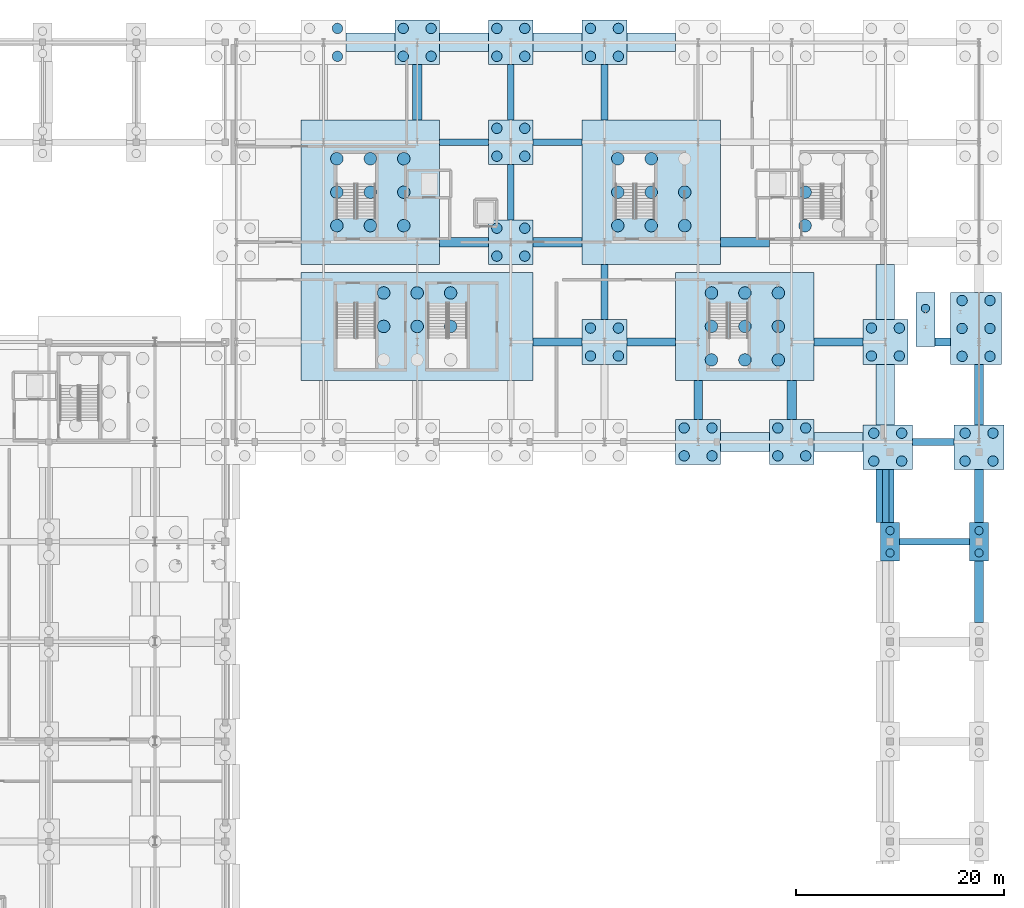
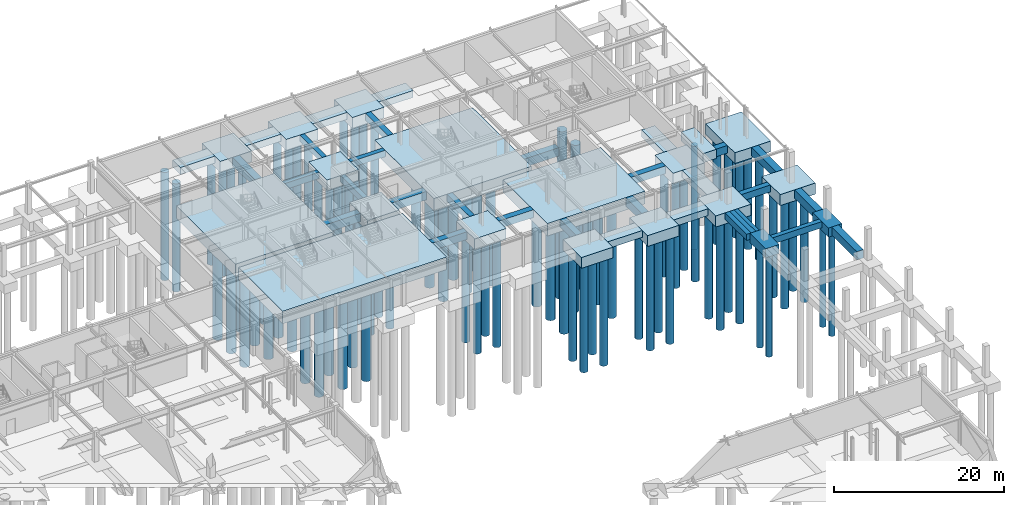
# One storey, part 9 of 59: 91 piles, 51 footings.
"""IFC4 building model written with IfcOpenShell, lengths in metres."""

import ifcopenshell
import ifcopenshell.guid

model = None  # the IFC model being written
_history = None  # IfcOwnerHistory: only IFC2X3 demands one
_inside = {}  # id of a spatial element -> (the spatial element, [elements in it])
_under = {}  # id of a project, library or spatial element -> (it, [spatial elements below it])
_declared = {}  # id of a project -> (the project, [libraries it declares])
_typed = {}  # id of a type object -> (the type object, [elements of that type])
_made_of = {}  # id of a material, layer set ... -> (it, [elements and type objects made of it])


def new_model(schema):
    """Start an empty IFC model of exactly this schema.

    Asked for "IFC4X3", IfcOpenShell would pick the latest addendum, in which some entities
    have other attributes; the version numbers below select the first issue.
    IFC2X3 requires an IfcOwnerHistory on every rooted entity: one is made here for all.
    """
    global model, _history
    if schema == "IFC4X3":
        model = ifcopenshell.file(schema_version=(4, 3, 0, 0))
    else:
        model = ifcopenshell.file(schema=schema)
    _inside.clear()
    _under.clear()
    _declared.clear()
    _typed.clear()
    _made_of.clear()
    _history = None
    if model.schema == "IFC2X3":
        org = make("IfcOrganization", Name="unknown")
        user = make(
            "IfcPersonAndOrganization",
            ThePerson=make("IfcPerson", FamilyName="unknown"),
            TheOrganization=org,
        )
        app = make(
            "IfcApplication",
            ApplicationDeveloper=org,
            Version="unknown",
            ApplicationFullName="unknown",
            ApplicationIdentifier="unknown",
        )
        _history = make(
            "IfcOwnerHistory",
            OwningUser=user,
            OwningApplication=app,
            ChangeAction="ADDED",
            CreationDate=0,
        )
    return model


def make(cls, **values):
    """One entity of the class cls with the attributes given. An attribute that is None is left unset."""
    return model.create_entity(
        cls, **{name: value for name, value in values.items() if value is not None}
    )


def rooted(cls, **values):
    """An entity with a GlobalId (a new one), such as an element, a storey or a relation."""
    return make(cls, GlobalId=ifcopenshell.guid.new(), OwnerHistory=_history, **values)


def si_unit(unit_type, name, prefix=None):
    """IfcSIUnit, for example si_unit("LENGTHUNIT", "METRE", prefix="MILLI")."""
    return make("IfcSIUnit", UnitType=unit_type, Prefix=prefix, Name=name)


def assignment(units):
    """IfcUnitAssignment: the units of a project."""
    return None if units is None else make("IfcUnitAssignment", Units=units)


def point(xyz):
    """IfcCartesianPoint."""
    return None if xyz is None else make("IfcCartesianPoint", Coordinates=xyz)


def direction(xyz):
    """IfcDirection."""
    return None if xyz is None else make("IfcDirection", DirectionRatios=xyz)


def frame(location, z_axis=None, x_axis=None):
    """IfcAxis2Placement3D, a coordinate frame: its origin and axes. An axis left out is left unset."""
    return make(
        "IfcAxis2Placement3D",
        Location=point(location),
        Axis=direction(z_axis),
        RefDirection=direction(x_axis),
    )


def frame_2d(location, x_axis=None):
    """IfcAxis2Placement2D, a coordinate frame in the plane: its origin and x axis."""
    return make(
        "IfcAxis2Placement2D", Location=point(location), RefDirection=direction(x_axis)
    )


def origin():
    """The frame at (0, 0, 0) with its axes left unset."""
    return frame((0.0, 0.0, 0.0))


def origin_2d():
    """The frame at (0, 0) in the plane with its x axis left unset."""
    return frame_2d((0.0, 0.0))


def place(relative_to, where):
    """IfcLocalPlacement: puts the frame where relative to a parent placement (None: the world)."""
    return make(
        "IfcLocalPlacement", PlacementRelTo=relative_to, RelativePlacement=where
    )


def context(
    kind, dimensions, precision=None, world=None, true_north=None, identifier=None
):
    """IfcGeometricRepresentationContext, for example the 3D "Model" context."""
    return make(
        "IfcGeometricRepresentationContext",
        ContextIdentifier=identifier,
        ContextType=kind,
        CoordinateSpaceDimension=dimensions,
        Precision=precision,
        WorldCoordinateSystem=world,
        TrueNorth=true_north,
    )


def subcontext(parent, identifier, kind, view, scale=None):
    """IfcGeometricRepresentationSubContext, for example "Body" below "Model"."""
    return make(
        "IfcGeometricRepresentationSubContext",
        ContextIdentifier=identifier,
        ContextType=kind,
        ParentContext=parent,
        TargetScale=scale,
        TargetView=view,
    )


def project(units=None, contexts=None):
    """IfcProject with its units and contexts."""
    return rooted(
        "IfcProject",
        Name="project",
        RepresentationContexts=contexts,
        UnitsInContext=assignment(units),
    )


def spatial(cls, under=None, at=None, **own):
    """A site, building, storey or space (cls), placed at a placement, below another one or the project."""
    s = rooted(cls, ObjectPlacement=at, **own)
    if under is not None:
        _under.setdefault(under.id(), (under, []))[1].append(s)
    return s


def profile(cls, at=None, kind="AREA", **sizes):
    """A parametric profile (cls). Its sizes go by their IFC names, for example OverallWidth=200.0."""
    return make(cls, ProfileType=kind, Position=at, **sizes)


def rectangle(**sizes):
    """IfcRectangleProfileDef."""
    return profile("IfcRectangleProfileDef", **sizes)


def circle(**sizes):
    """IfcCircleProfileDef."""
    return profile("IfcCircleProfileDef", **sizes)


def extrude(swept, where, along, depth):
    """IfcExtrudedAreaSolid: the profile swept, set in the frame where, extruded along a direction by depth."""
    return make(
        "IfcExtrudedAreaSolid",
        SweptArea=swept,
        Position=where,
        ExtrudedDirection=direction(along),
        Depth=depth,
    )


def shape(context_of_items, identifier, shape_type, items):
    """IfcShapeRepresentation: the items that make up one representation, for example the "Body"."""
    return make(
        "IfcShapeRepresentation",
        ContextOfItems=context_of_items,
        RepresentationIdentifier=identifier,
        RepresentationType=shape_type,
        Items=items,
    )


def material(Name=None, Category=None):
    """IfcMaterial."""
    return make("IfcMaterial", Name=Name, Category=Category)


def material_profile(
    of_material, cross_section, Name=None, Category=None, Priority=None
):
    """IfcMaterialProfile: a cross section and its material."""
    return make(
        "IfcMaterialProfile",
        Name=Name,
        Material=of_material,
        Profile=cross_section,
        Priority=Priority,
        Category=Category,
    )


def profile_set(profiles, Name=None, composite=None):
    """IfcMaterialProfileSet."""
    return make(
        "IfcMaterialProfileSet",
        Name=Name,
        MaterialProfiles=profiles,
        CompositeProfile=composite,
    )


def made_of(thing, what):
    """Note that an element or type object is made of a material, layer set ...; save() writes the relation."""
    if what is not None:
        _made_of.setdefault(what.id(), (what, []))[1].append(thing)
    return thing


def type_object(cls, material=None, **own):
    """A type object (cls), such as IfcWallType, which elements share."""
    return made_of(rooted(cls, **own), material)


def element(
    cls,
    number,
    at=None,
    inside=None,
    cuts=None,
    type_object=None,
    material=None,
    context=None,
    identifier="Body",
    shape_type=None,
    held_by="IfcProductDefinitionShape",
    body=None,
    shapes=None,
    **own,
):
    """One element of the class cls, such as IfcWall. Its Tag is "e" and its number.

    at: its placement. inside: the storey or other place that contains it. cuts: it is an
    opening in that element (IfcRelVoidsElement). A single representation is given by context,
    identifier, shape_type and body (its items); several are given by shapes. held_by: the class
    of the entity that holds the representations. save() writes the other relations.
    """
    e = rooted(cls, Tag="e%d" % number, ObjectPlacement=at, **own)
    if body is not None:
        shapes = [shape(context, identifier, shape_type, body)]
    if shapes is not None:
        e.Representation = make(held_by, Representations=shapes)
    if inside is not None:
        _inside.setdefault(inside.id(), (inside, []))[1].append(e)
    if cuts is not None:
        rooted(
            "IfcRelVoidsElement", RelatingBuildingElement=cuts, RelatedOpeningElement=e
        )
    if type_object is not None:
        _typed.setdefault(type_object.id(), (type_object, []))[1].append(e)
    return made_of(e, material)


def aggregate(whole, parts):
    """IfcRelAggregates: a whole, such as a stair, and the parts it consists of."""
    return rooted("IfcRelAggregates", RelatingObject=whole, RelatedObjects=parts)


def save(model, path):
    """Write the relations noted so far, then the file.

    IfcRelAggregates (storeys below a building ...), IfcRelContainedInSpatialStructure (elements
    in a storey), IfcRelDefinesByType, IfcRelAssociatesMaterial and IfcRelDeclares: one each for
    every whole, place, type object, material and project.
    """
    for whole, parts in _under.values():
        aggregate(whole, parts)
    for where, things in _inside.values():
        rooted(
            "IfcRelContainedInSpatialStructure",
            RelatedElements=things,
            RelatingStructure=where,
        )
    for kind, things in _typed.values():
        rooted("IfcRelDefinesByType", RelatedObjects=things, RelatingType=kind)
    for what, things in _made_of.values():
        rooted("IfcRelAssociatesMaterial", RelatedObjects=things, RelatingMaterial=what)
    for by, libraries in _declared.values():
        rooted("IfcRelDeclares", RelatingContext=by, RelatedDefinitions=libraries)
    model.write(path)


model = new_model("IFC4")

# Units and contexts
model_context = context("Model", 3, precision=1e-05, world=origin(), true_north=direction((0.0, 1.0)))
body_context = subcontext(model_context, "Body", "Model", "MODEL_VIEW")
ifc_project = project(units=[si_unit("LENGTHUNIT", "METRE"), si_unit("AREAUNIT", "SQUARE_METRE"), si_unit("VOLUMEUNIT", "CUBIC_METRE"), si_unit("PLANEANGLEUNIT", "RADIAN"), si_unit("MASSUNIT", "GRAM", prefix="KILO")], contexts=[model_context])

# Site, building, storey
site_placement = place(None, origin())
site = spatial("IfcSite", under=ifc_project, at=site_placement, CompositionType="ELEMENT")
building_placement = place(site_placement, origin())
building = spatial("IfcBuilding", under=site, at=building_placement, Name="Myrtia Square Station", CompositionType="ELEMENT")
storey_placement = place(building_placement, frame((0.0, 0.0, -4.5)))
storey = spatial("IfcBuildingStorey", under=building, at=storey_placement, Name="B01", CompositionType="ELEMENT", Elevation=-4.5)

# Footings
ifc_material = material(Name="Concrete C35/45", Category="concrete")
ifc_material_profile_1 = material_profile(ifc_material, rectangle(XDim=0.60009765625, YDim=0.89990234375, at=origin_2d()), Name="FB 600x900")
ifc_profile_set_1 = profile_set([ifc_material_profile_1], Name="Concrete C35/45")
footing_type_1 = type_object("IfcFootingType", Name="FBM-600x900", PredefinedType="FOOTING_BEAM", material=ifc_profile_set_1)
footing_1_placement = place(storey_placement, frame((181.3701171875, 76.800048828125, -0.449951171875), z_axis=(1.0, 0.0, 0.0), x_axis=(0.0, 1.0, 0.0)))
element("IfcFooting", 1, at=footing_1_placement, inside=storey, type_object=footing_type_1, Name="Seismic foundation tie beam X-0098", PredefinedType="FOOTING_BEAM", context=body_context, shape_type="SweptSolid", body=[
    extrude(rectangle(XDim=0.60009765625, YDim=0.89990234375, at=origin_2d()), origin(), (0.0, 0.0, 1.0), 6.7099609375),
])
for number, where, z_axis, x_axis, name in (
    (2, (137.14990234375, 115.199951171875, -0.449951171875), (1.0, 0.0, 0.0), (0.0, 1.0, 0.0), "Seismic foundation tie beam X-0141"),
    (3, (146.14990234375, 115.199951171875, -0.449951171875), (1.0, 0.0, 0.0), (0.0, 1.0, 0.0), "Seismic foundation tie beam X-0142"),
):
    element("IfcFooting", number, at=place(storey_placement, frame(where, z_axis=z_axis, x_axis=x_axis)), inside=storey, type_object=footing_type_1, Name=name, PredefinedType="FOOTING_BEAM", context=body_context, shape_type="SweptSolid", body=[
        extrude(rectangle(XDim=0.60009765625, YDim=0.89990234375, at=origin_2d()), origin(), (0.0, 0.0, 1.0), 4.7001953125),
    ])
footing_2_placement = place(storey_placement, frame((144.0, 107.75, -0.449951171875), z_axis=(0.0, 1.0, 0.0), x_axis=(-1.0, 0.0, 0.0)))
element("IfcFooting", 4, at=footing_2_placement, inside=storey, type_object=footing_type_1, Name="Seismic foundation tie beam Y-0318", PredefinedType="FOOTING_BEAM", context=body_context, shape_type="SweptSolid", body=[
    extrude(rectangle(XDim=0.60009765625, YDim=0.89990234375, at=origin_2d()), origin(), (0.0, 0.0, 1.0), 5.300048828125),
])
footing_3_placement = place(storey_placement, frame((144.0, 117.35009765625, -0.449951171875), z_axis=(0.0, 1.0, 0.0), x_axis=(-1.0, 0.0, 0.0)))
element("IfcFooting", 5, at=footing_3_placement, inside=storey, type_object=footing_type_1, Name="Seismic foundation tie beam Y-0319", PredefinedType="FOOTING_BEAM", context=body_context, shape_type="SweptSolid", body=[
    extrude(rectangle(XDim=0.60009765625, YDim=0.89990234375, at=origin_2d()), origin(), (0.0, 0.0, 1.0), 5.2998046875),
])
footing_4_placement = place(storey_placement, frame((179.39990234375, 78.659912109375, -0.449951171875), z_axis=(0.0, 1.0, 0.0), x_axis=(-1.0, 0.0, 0.0)))
element("IfcFooting", 6, at=footing_4_placement, inside=storey, type_object=footing_type_1, Name="Seismic foundation tie beam Y-0339", PredefinedType="FOOTING_BEAM", context=body_context, shape_type="SweptSolid", body=[
    extrude(rectangle(XDim=0.60009765625, YDim=0.89990234375, at=origin_2d()), origin(), (0.0, 0.0, 1.0), 5.090087890625),
])
ifc_material_profile_2 = material_profile(ifc_material, rectangle(XDim=0.699951171875, YDim=1.0, at=origin_2d()), Name="FB 700x1000")
ifc_profile_set_2 = profile_set([ifc_material_profile_2], Name="Concrete C35/45")
footing_type_2 = type_object("IfcFootingType", Name="FBM-700x1000", PredefinedType="FOOTING_BEAM", material=ifc_profile_set_2)
footing_5_placement = place(storey_placement, frame((182.625, 86.39990234375, -0.5), z_axis=(1.0, 0.0, 0.0), x_axis=(0.0, 1.0, 0.0)))
element("IfcFooting", 7, at=footing_5_placement, inside=storey, type_object=footing_type_2, Name="Seismic foundation tie beam X-0107", PredefinedType="FOOTING_BEAM", context=body_context, shape_type="SweptSolid", body=[
    extrude(rectangle(XDim=0.699951171875, YDim=1.0, at=origin_2d()), origin(), (0.0, 0.0, 1.0), 3.97509765625),
])
footing_6_placement = place(storey_placement, frame((153.0, 98.14990234375, -0.5), z_axis=(0.0, 1.0, 0.0), x_axis=(-1.0, 0.0, 0.0)))
element("IfcFooting", 8, at=footing_6_placement, inside=storey, type_object=footing_type_2, Name="Seismic foundation tie beam Y-0323", PredefinedType="FOOTING_BEAM", context=body_context, shape_type="SweptSolid", body=[
    extrude(rectangle(XDim=0.699951171875, YDim=1.0, at=origin_2d()), origin(), (0.0, 0.0, 1.0), 5.300048828125),
])
footing_7_placement = place(storey_placement, frame((153.0, 117.35009765625, -0.5), z_axis=(0.0, 1.0, 0.0), x_axis=(-1.0, 0.0, 0.0)))
element("IfcFooting", 9, at=footing_7_placement, inside=storey, type_object=footing_type_2, Name="Seismic foundation tie beam Y-0324", PredefinedType="FOOTING_BEAM", context=body_context, shape_type="SweptSolid", body=[
    extrude(rectangle(XDim=0.699951171875, YDim=1.0, at=origin_2d()), origin(), (0.0, 0.0, 1.0), 5.2998046875),
])
footing_8_placement = place(storey_placement, frame((180.0, 78.659912109375, -0.5), z_axis=(0.0, 1.0, 0.0), x_axis=(-1.0, 0.0, 0.0)))
element("IfcFooting", 10, at=footing_8_placement, inside=storey, type_object=footing_type_2, Name="Seismic foundation tie beam Y-0344", PredefinedType="FOOTING_BEAM", context=body_context, shape_type="SweptSolid", body=[
    extrude(rectangle(XDim=0.699951171875, YDim=1.0, at=origin_2d()), origin(), (0.0, 0.0, 1.0), 5.090087890625),
])
ifc_material_profile_3 = material_profile(ifc_material, rectangle(XDim=0.800048828125, YDim=1.10009765625, at=origin_2d()), Name="FB 800x1100")
ifc_profile_set_3 = profile_set([ifc_material_profile_3], Name="Concrete C35/45")
footing_type_3 = type_object("IfcFootingType", Name="FBM-800x1100", PredefinedType="FOOTING_BEAM", material=ifc_profile_set_3)
for number, where, z_axis, x_axis, name in (
    (11, (146.14990234375, 96.0, -0.550048828125), (1.0, 0.0, 0.0), (0.0, 1.0, 0.0), "Seismic foundation tie beam X-0116"),
    (12, (155.14990234375, 96.0, -0.550048828125), (1.0, 0.0, 0.0), (0.0, 1.0, 0.0), "Seismic foundation tie beam X-0117"),
    (13, (173.14990234375, 96.0, -0.550048828125), (1.0, 0.0, 0.0), (0.0, 1.0, 0.0), "Seismic foundation tie beam X-0118"),
):
    element("IfcFooting", number, at=place(storey_placement, frame(where, z_axis=z_axis, x_axis=x_axis)), inside=storey, type_object=footing_type_3, Name=name, PredefinedType="FOOTING_BEAM", context=body_context, shape_type="SweptSolid", body=[
        extrude(rectangle(XDim=0.800048828125, YDim=1.10009765625, at=origin_2d()), origin(), (0.0, 0.0, 1.0), 4.7001953125),
    ])
footing_9_placement = place(storey_placement, frame((184.77001953125, 96.0, -0.550048828125), z_axis=(1.0, 0.0, 0.0), x_axis=(0.0, 1.0, 0.0)))
element("IfcFooting", 14, at=footing_9_placement, inside=storey, type_object=footing_type_3, Name="Seismic foundation tie beam X-0119", PredefinedType="FOOTING_BEAM", context=body_context, shape_type="SweptSolid", body=[
    extrude(rectangle(XDim=0.800048828125, YDim=1.10009765625, at=origin_2d()), origin(), (0.0, 0.0, 1.0), 1.5),
])
footing_10_placement = place(storey_placement, frame((162.0, 88.550048828125, -0.550048828125), z_axis=(0.0, 1.0, 0.0), x_axis=(-1.0, 0.0, 0.0)))
element("IfcFooting", 15, at=footing_10_placement, inside=storey, type_object=footing_type_3, Name="Seismic foundation tie beam Y-0327", PredefinedType="FOOTING_BEAM", context=body_context, shape_type="SweptSolid", body=[
    extrude(rectangle(XDim=0.800048828125, YDim=1.10009765625, at=origin_2d()), origin(), (0.0, 0.0, 1.0), 3.75),
])
footing_11_placement = place(storey_placement, frame((180.449951171875, 78.659912109375, -0.550048828125), z_axis=(0.0, 1.0, 0.0), x_axis=(-1.0, 0.0, 0.0)))
element("IfcFooting", 16, at=footing_11_placement, inside=storey, type_object=footing_type_3, Name="Seismic foundation tie beam Y-0349", PredefinedType="FOOTING_BEAM", context=body_context, shape_type="SweptSolid", body=[
    extrude(rectangle(XDim=0.800048828125, YDim=1.10009765625, at=origin_2d()), origin(), (0.0, 0.0, 1.0), 5.090087890625),
])
ifc_material_profile_4 = material_profile(ifc_material, rectangle(XDim=0.89990234375, YDim=1.199951171875, at=origin_2d()), Name="FB 900x1200")
ifc_profile_set_4 = profile_set([ifc_material_profile_4], Name="Concrete C35/45")
footing_type_4 = type_object("IfcFootingType", Name="FBM-900x1200", PredefinedType="FOOTING_BEAM", material=ifc_profile_set_4)
for number, where, z_axis, x_axis, name in (
    (17, (137.14990234375, 105.60009765625, -0.60009765625), (1.0, 0.0, 0.0), (0.0, 1.0, 0.0), "Seismic foundation tie beam X-0126"),
    (18, (146.14990234375, 105.60009765625, -0.60009765625), (1.0, 0.0, 0.0), (0.0, 1.0, 0.0), "Seismic foundation tie beam X-0127"),
    (19, (164.14990234375, 105.60009765625, -0.60009765625), (1.0, 0.0, 0.0), (0.0, 1.0, 0.0), "Seismic foundation tie beam X-0128"),
):
    element("IfcFooting", number, at=place(storey_placement, frame(where, z_axis=z_axis, x_axis=x_axis)), inside=storey, type_object=footing_type_4, Name=name, PredefinedType="FOOTING_BEAM", context=body_context, shape_type="SweptSolid", body=[
        extrude(rectangle(XDim=0.89990234375, YDim=1.199951171875, at=origin_2d()), origin(), (0.0, 0.0, 1.0), 4.7001953125),
    ])
footing_12_placement = place(storey_placement, frame((135.0, 117.35009765625, -0.60009765625), z_axis=(0.0, 1.0, 0.0), x_axis=(-1.0, 0.0, 0.0)))
element("IfcFooting", 20, at=footing_12_placement, inside=storey, type_object=footing_type_4, Name="Seismic foundation tie beam Y-0314", PredefinedType="FOOTING_BEAM", context=body_context, shape_type="SweptSolid", body=[
    extrude(rectangle(XDim=0.89990234375, YDim=1.199951171875, at=origin_2d()), origin(), (0.0, 0.0, 1.0), 5.2998046875),
])
footing_13_placement = place(storey_placement, frame((171.0, 88.550048828125, -0.60009765625), z_axis=(0.0, 1.0, 0.0), x_axis=(-1.0, 0.0, 0.0)))
element("IfcFooting", 21, at=footing_13_placement, inside=storey, type_object=footing_type_4, Name="Seismic foundation tie beam Y-0333", PredefinedType="FOOTING_BEAM", context=body_context, shape_type="SweptSolid", body=[
    extrude(rectangle(XDim=0.89990234375, YDim=1.199951171875, at=origin_2d()), origin(), (0.0, 0.0, 1.0), 3.75),
])
footing_14_placement = place(storey_placement, frame((189.0, 69.06005859375, -0.60009765625), z_axis=(0.0, 1.0, 0.0), x_axis=(-1.0, 0.0, 0.0)))
element("IfcFooting", 22, at=footing_14_placement, inside=storey, type_object=footing_type_4, Name="Seismic foundation tie beam Y-0353", PredefinedType="FOOTING_BEAM", context=body_context, shape_type="SweptSolid", body=[
    extrude(rectangle(XDim=0.89990234375, YDim=1.199951171875, at=origin_2d()), origin(), (0.0, 0.0, 1.0), 5.8798828125),
])
footing_15_placement = place(storey_placement, frame((189.0, 78.659912109375, -0.60009765625), z_axis=(0.0, 1.0, 0.0), x_axis=(-1.0, 0.0, 0.0)))
element("IfcFooting", 23, at=footing_15_placement, inside=storey, type_object=footing_type_4, Name="Seismic foundation tie beam Y-0354", PredefinedType="FOOTING_BEAM", context=body_context, shape_type="SweptSolid", body=[
    extrude(rectangle(XDim=0.89990234375, YDim=1.199951171875, at=origin_2d()), origin(), (0.0, 0.0, 1.0), 5.090087890625),
])
footing_16_placement = place(storey_placement, frame((189.0, 88.050048828125, -0.60009765625), z_axis=(0.0, 1.0, 0.0), x_axis=(-1.0, 0.0, 0.0)))
element("IfcFooting", 24, at=footing_16_placement, inside=storey, type_object=footing_type_4, Name="Seismic foundation tie beam Y-0355", PredefinedType="FOOTING_BEAM", context=body_context, shape_type="SweptSolid", body=[
    extrude(rectangle(XDim=0.89990234375, YDim=1.199951171875, at=origin_2d()), origin(), (0.0, 0.0, 1.0), 5.800048828125),
])
footing_type_5 = type_object("IfcFootingType", Name="FCAP-1330x1040x180", PredefinedType="PILE_CAP", material=ifc_material)
footing_17_placement = place(storey_placement, frame((166.5, 97.5, -1.7998046875), z_axis=(0.0, 0.0, 1.0), x_axis=(1.0, 0.0, 0.0)))
element("IfcFooting", 25, at=footing_17_placement, inside=storey, type_object=footing_type_5, Name="Reinforced concrete pile cap CAP-CORE-K16", PredefinedType="PILE_CAP", context=body_context, shape_type="SweptSolid", body=[
    extrude(rectangle(XDim=13.300048828125, YDim=10.39990234375, at=origin_2d()), origin(), (0.0, 0.0, 1.0), 1.800048828125),
])
footing_type_6 = type_object("IfcFootingType", Name="FCAP-1330x1390x180", PredefinedType="PILE_CAP", material=ifc_material)
for number, where, z_axis, x_axis, name in (
    (26, (130.5, 110.39990234375, -1.7998046875), (0.0, 0.0, 1.0), (1.0, 0.0, 0.0), "Reinforced concrete pile cap CAP-CORE-K7"),
    (27, (157.5, 110.39990234375, -1.7998046875), (0.0, 0.0, 1.0), (1.0, 0.0, 0.0), "Reinforced concrete pile cap CAP-CORE-K15"),
):
    element("IfcFooting", number, at=place(storey_placement, frame(where, z_axis=z_axis, x_axis=x_axis)), inside=storey, type_object=footing_type_6, Name=name, PredefinedType="PILE_CAP", context=body_context, shape_type="SweptSolid", body=[
        extrude(rectangle(XDim=13.300048828125, YDim=13.89990234375, at=origin_2d()), origin(), (0.0, 0.0, 1.0), 1.800048828125),
    ])
footing_type_7 = type_object("IfcFootingType", Name="FCAP-184x372x130", PredefinedType="PILE_CAP", material=ifc_material)
for number, where, z_axis, x_axis, name in (
    (28, (180.449951171875, 76.800048828125, -1.2998046875), (0.0, 0.0, 1.0), (1.0, 0.0, 0.0), "Reinforced concrete pile cap CAP-L2Y-132"),
    (29, (189.0, 76.800048828125, -1.2998046875), (0.0, 0.0, 1.0), (1.0, 0.0, 0.0), "Reinforced concrete pile cap CAP-L2Y-138"),
):
    element("IfcFooting", number, at=place(storey_placement, frame(where, z_axis=z_axis, x_axis=x_axis)), inside=storey, type_object=footing_type_7, Name=name, PredefinedType="PILE_CAP", context=body_context, shape_type="SweptSolid", body=[
        extrude(rectangle(XDim=1.840087890625, YDim=3.719970703125, at=origin_2d()), origin(), (0.0, 0.0, 1.0), 1.300048828125),
    ])
footing_type_8 = type_object("IfcFootingType", Name="FCAP-184x520x130", PredefinedType="PILE_CAP", material=ifc_material)
footing_18_placement = place(storey_placement, frame((183.85009765625, 98.159912109375, -1.2998046875), z_axis=(0.0, 0.0, 1.0), x_axis=(1.0, 0.0, 0.0)))
element("IfcFooting", 30, at=footing_18_placement, inside=storey, type_object=footing_type_8, Name="Reinforced concrete pile cap CAP-ISTR-29", PredefinedType="PILE_CAP", context=body_context, shape_type="SweptSolid", body=[
    extrude(rectangle(XDim=1.840087890625, YDim=5.199951171875, at=origin_2d()), origin(), (0.0, 0.0, 1.0), 1.300048828125),
])
footing_type_9 = type_object("IfcFootingType", Name="FCAP-2230x1040x180", PredefinedType="PILE_CAP", material=ifc_material)
footing_19_placement = place(storey_placement, frame((135.0, 97.5, -1.7998046875), z_axis=(0.0, 0.0, 1.0), x_axis=(1.0, 0.0, 0.0)))
element("IfcFooting", 31, at=footing_19_placement, inside=storey, type_object=footing_type_9, Name="Reinforced concrete pile cap CAP-CORE-K12", PredefinedType="PILE_CAP", context=body_context, shape_type="SweptSolid", body=[
    extrude(rectangle(XDim=22.300048828125, YDim=10.39990234375, at=origin_2d()), origin(), (0.0, 0.0, 1.0), 1.800048828125),
])
footing_type_10 = type_object("IfcFootingType", Name="FCAP-430x430x155", PredefinedType="PILE_CAP", material=ifc_material)
for number, where, z_axis, x_axis, name in (
    (32, (135.0, 124.800048828125, -1.5498046875), (0.0, 0.0, 1.0), (1.0, 0.0, 0.0), "Reinforced concrete pile cap CAP-M4-224"),
    (33, (144.0, 105.60009765625, -1.5498046875), (0.0, 0.0, 1.0), (1.0, 0.0, 0.0), "Reinforced concrete pile cap CAP-M4-227"),
    (34, (144.0, 115.199951171875, -1.5498046875), (0.0, 0.0, 1.0), (1.0, 0.0, 0.0), "Reinforced concrete pile cap CAP-M4-228"),
    (35, (144.0, 124.800048828125, -1.5498046875), (0.0, 0.0, 1.0), (1.0, 0.0, 0.0), "Reinforced concrete pile cap CAP-M4-229"),
    (36, (153.0, 96.0, -1.5498046875), (0.0, 0.0, 1.0), (1.0, 0.0, 0.0), "Reinforced concrete pile cap CAP-M4-231"),
    (37, (153.0, 124.800048828125, -1.5498046875), (0.0, 0.0, 1.0), (1.0, 0.0, 0.0), "Reinforced concrete pile cap CAP-M4-234"),
    (38, (162.0, 86.39990234375, -1.5498046875), (0.0, 0.0, 1.0), (1.0, 0.0, 0.0), "Reinforced concrete pile cap CAP-M4-235"),
    (39, (171.0, 86.39990234375, -1.5498046875), (0.0, 0.0, 1.0), (1.0, 0.0, 0.0), "Reinforced concrete pile cap CAP-M4-240"),
    (40, (180.0, 96.0, -1.5498046875), (0.0, 0.0, 1.0), (1.0, 0.0, 0.0), "Reinforced concrete pile cap CAP-M4-246"),
):
    element("IfcFooting", number, at=place(storey_placement, frame(where, z_axis=z_axis, x_axis=x_axis)), inside=storey, type_object=footing_type_10, Name=name, PredefinedType="PILE_CAP", context=body_context, shape_type="SweptSolid", body=[
        extrude(rectangle(XDim=4.300048828125, YDim=4.300048828125, at=origin_2d()), origin(), (0.0, 0.0, 1.0), 1.550048828125),
    ])
footing_type_11 = type_object("IfcFootingType", Name="FCAP-480x430x160", PredefinedType="PILE_CAP", material=ifc_material)
for number, where, z_axis, x_axis, name in (
    (41, (180.22509765625, 85.89990234375, -1.60009765625), (0.0, 0.0, 1.0), (1.0, 0.0, 0.0), "Reinforced concrete pile cap CAP-JT-133"),
    (42, (189.0, 85.89990234375, -1.60009765625), (0.0, 0.0, 1.0), (1.0, 0.0, 0.0), "Reinforced concrete pile cap CAP-JT-139"),
):
    element("IfcFooting", number, at=place(storey_placement, frame(where, z_axis=z_axis, x_axis=x_axis)), inside=storey, type_object=footing_type_11, Name=name, PredefinedType="PILE_CAP", context=body_context, shape_type="SweptSolid", body=[
        extrude(rectangle(XDim=4.800048828125, YDim=4.300048828125, at=origin_2d()), origin(), (0.0, 0.0, 1.0), 1.60009765625),
    ])
footing_type_12 = type_object("IfcFootingType", Name="FCAP-488x691x155", PredefinedType="PILE_CAP", material=ifc_material)
footing_20_placement = place(storey_placement, frame((188.7099609375, 97.304931640625, -1.5498046875), z_axis=(0.0, 0.0, 1.0), x_axis=(1.0, 0.0, 0.0)))
element("IfcFooting", 43, at=footing_20_placement, inside=storey, type_object=footing_type_12, Name="Reinforced concrete pile cap CAP-M4-251", PredefinedType="PILE_CAP", context=body_context, shape_type="SweptSolid", body=[
    extrude(rectangle(XDim=4.8798828125, YDim=6.909912109375, at=origin_2d()), origin(), (0.0, 0.0, 1.0), 1.550048828125),
])

# Piles
ifc_material_profile_5 = material_profile(ifc_material, circle(Radius=0.5, at=origin_2d()), Name="BP D1000")
ifc_profile_set_5 = profile_set([ifc_material_profile_5], Name="Concrete C35/45")
pile_type_1 = type_object("IfcPileType", Name="PIL-BP1000", PredefinedType="BORED", material=ifc_profile_set_5)
for number, where, z_axis, x_axis, name in (
    (44, (178.885009765625, 84.56005859375, -1.5), (0.0, 0.0, -1.0), (1.0, 0.0, 0.0), "Bored pile 0329"),
    (45, (178.885009765625, 87.239990234375, -1.5), (0.0, 0.0, -1.0), (1.0, 0.0, 0.0), "Bored pile 0330"),
    (46, (181.56494140625, 84.56005859375, -1.5), (0.0, 0.0, -1.0), (1.0, 0.0, 0.0), "Bored pile 0331"),
    (47, (181.56494140625, 87.239990234375, -1.5), (0.0, 0.0, -1.0), (1.0, 0.0, 0.0), "Bored pile 0332"),
    (48, (187.659912109375, 84.56005859375, -1.5), (0.0, 0.0, -1.0), (1.0, 0.0, 0.0), "Bored pile 0343"),
    (49, (187.659912109375, 87.239990234375, -1.5), (0.0, 0.0, -1.0), (1.0, 0.0, 0.0), "Bored pile 0344"),
    (50, (190.340087890625, 84.56005859375, -1.5), (0.0, 0.0, -1.0), (1.0, 0.0, 0.0), "Bored pile 0345"),
    (51, (190.340087890625, 87.239990234375, -1.5), (0.0, 0.0, -1.0), (1.0, 0.0, 0.0), "Bored pile 0346"),
):
    element("IfcPile", number, at=place(storey_placement, frame(where, z_axis=z_axis, x_axis=x_axis)), inside=storey, type_object=pile_type_1, Name=name, PredefinedType="BORED", context=body_context, shape_type="SweptSolid", body=[
        extrude(circle(Radius=0.5, at=origin_2d()), origin(), (0.0, 0.0, 1.0), 15.5),
    ])
for number, where, z_axis, x_axis, name in (
    (52, (127.340087890625, 123.4599609375, -1.449951171875), (0.0, 0.0, -1.0), (1.0, 0.0, 0.0), "Bored pile 0448"),
    (53, (127.340087890625, 126.139892578125, -1.449951171875), (0.0, 0.0, -1.0), (1.0, 0.0, 0.0), "Bored pile 0449"),
    (54, (133.659912109375, 123.4599609375, -1.449951171875), (0.0, 0.0, -1.0), (1.0, 0.0, 0.0), "Bored pile 0454"),
    (55, (133.659912109375, 126.139892578125, -1.449951171875), (0.0, 0.0, -1.0), (1.0, 0.0, 0.0), "Bored pile 0455"),
    (56, (136.340087890625, 123.4599609375, -1.449951171875), (0.0, 0.0, -1.0), (1.0, 0.0, 0.0), "Bored pile 0456"),
    (57, (136.340087890625, 126.139892578125, -1.449951171875), (0.0, 0.0, -1.0), (1.0, 0.0, 0.0), "Bored pile 0457"),
    (58, (142.659912109375, 104.260009765625, -1.449951171875), (0.0, 0.0, -1.0), (1.0, 0.0, 0.0), "Bored pile 0462"),
    (59, (142.659912109375, 106.93994140625, -1.449951171875), (0.0, 0.0, -1.0), (1.0, 0.0, 0.0), "Bored pile 0463"),
    (60, (145.340087890625, 104.260009765625, -1.449951171875), (0.0, 0.0, -1.0), (1.0, 0.0, 0.0), "Bored pile 0464"),
    (61, (145.340087890625, 106.93994140625, -1.449951171875), (0.0, 0.0, -1.0), (1.0, 0.0, 0.0), "Bored pile 0465"),
    (62, (142.659912109375, 113.860107421875, -1.449951171875), (0.0, 0.0, -1.0), (1.0, 0.0, 0.0), "Bored pile 0466"),
    (63, (142.659912109375, 116.5400390625, -1.449951171875), (0.0, 0.0, -1.0), (1.0, 0.0, 0.0), "Bored pile 0467"),
    (64, (145.340087890625, 113.860107421875, -1.449951171875), (0.0, 0.0, -1.0), (1.0, 0.0, 0.0), "Bored pile 0468"),
    (65, (145.340087890625, 116.5400390625, -1.449951171875), (0.0, 0.0, -1.0), (1.0, 0.0, 0.0), "Bored pile 0469"),
    (66, (142.659912109375, 123.4599609375, -1.449951171875), (0.0, 0.0, -1.0), (1.0, 0.0, 0.0), "Bored pile 0470"),
    (67, (142.659912109375, 126.139892578125, -1.449951171875), (0.0, 0.0, -1.0), (1.0, 0.0, 0.0), "Bored pile 0471"),
    (68, (145.340087890625, 123.4599609375, -1.449951171875), (0.0, 0.0, -1.0), (1.0, 0.0, 0.0), "Bored pile 0472"),
    (69, (145.340087890625, 126.139892578125, -1.449951171875), (0.0, 0.0, -1.0), (1.0, 0.0, 0.0), "Bored pile 0473"),
    (70, (151.659912109375, 94.659912109375, -1.449951171875), (0.0, 0.0, -1.0), (1.0, 0.0, 0.0), "Bored pile 0478"),
    (71, (151.659912109375, 97.340087890625, -1.449951171875), (0.0, 0.0, -1.0), (1.0, 0.0, 0.0), "Bored pile 0479"),
    (72, (154.340087890625, 94.659912109375, -1.449951171875), (0.0, 0.0, -1.0), (1.0, 0.0, 0.0), "Bored pile 0480"),
    (73, (154.340087890625, 97.340087890625, -1.449951171875), (0.0, 0.0, -1.0), (1.0, 0.0, 0.0), "Bored pile 0481"),
    (74, (151.659912109375, 123.4599609375, -1.449951171875), (0.0, 0.0, -1.0), (1.0, 0.0, 0.0), "Bored pile 0482"),
    (75, (151.659912109375, 126.139892578125, -1.449951171875), (0.0, 0.0, -1.0), (1.0, 0.0, 0.0), "Bored pile 0483"),
    (76, (154.340087890625, 123.4599609375, -1.449951171875), (0.0, 0.0, -1.0), (1.0, 0.0, 0.0), "Bored pile 0484"),
    (77, (154.340087890625, 126.139892578125, -1.449951171875), (0.0, 0.0, -1.0), (1.0, 0.0, 0.0), "Bored pile 0485"),
    (78, (160.659912109375, 85.06005859375, -1.449951171875), (0.0, 0.0, -1.0), (1.0, 0.0, 0.0), "Bored pile 0486"),
    (79, (160.659912109375, 87.739990234375, -1.449951171875), (0.0, 0.0, -1.0), (1.0, 0.0, 0.0), "Bored pile 0487"),
    (80, (163.340087890625, 85.06005859375, -1.449951171875), (0.0, 0.0, -1.0), (1.0, 0.0, 0.0), "Bored pile 0488"),
    (81, (163.340087890625, 87.739990234375, -1.449951171875), (0.0, 0.0, -1.0), (1.0, 0.0, 0.0), "Bored pile 0489"),
    (82, (169.659912109375, 85.06005859375, -1.449951171875), (0.0, 0.0, -1.0), (1.0, 0.0, 0.0), "Bored pile 0494"),
    (83, (169.659912109375, 87.739990234375, -1.449951171875), (0.0, 0.0, -1.0), (1.0, 0.0, 0.0), "Bored pile 0495"),
    (84, (172.340087890625, 85.06005859375, -1.449951171875), (0.0, 0.0, -1.0), (1.0, 0.0, 0.0), "Bored pile 0496"),
    (85, (172.340087890625, 87.739990234375, -1.449951171875), (0.0, 0.0, -1.0), (1.0, 0.0, 0.0), "Bored pile 0497"),
    (86, (178.659912109375, 94.659912109375, -1.449951171875), (0.0, 0.0, -1.0), (1.0, 0.0, 0.0), "Bored pile 0502"),
    (87, (178.659912109375, 97.340087890625, -1.449951171875), (0.0, 0.0, -1.0), (1.0, 0.0, 0.0), "Bored pile 0503"),
    (88, (181.340087890625, 94.659912109375, -1.449951171875), (0.0, 0.0, -1.0), (1.0, 0.0, 0.0), "Bored pile 0504"),
    (89, (181.340087890625, 97.340087890625, -1.449951171875), (0.0, 0.0, -1.0), (1.0, 0.0, 0.0), "Bored pile 0505"),
    (90, (187.3701171875, 94.625, -1.449951171875), (0.0, 0.0, -1.0), (1.0, 0.0, 0.0), "Bored pile 0510"),
    (91, (187.3701171875, 97.304931640625, -1.449951171875), (0.0, 0.0, -1.0), (1.0, 0.0, 0.0), "Bored pile 0511"),
    (92, (187.3701171875, 99.985107421875, -1.449951171875), (0.0, 0.0, -1.0), (1.0, 0.0, 0.0), "Bored pile 0512"),
    (93, (190.050048828125, 94.625, -1.449951171875), (0.0, 0.0, -1.0), (1.0, 0.0, 0.0), "Bored pile 0513"),
    (94, (190.050048828125, 97.304931640625, -1.449951171875), (0.0, 0.0, -1.0), (1.0, 0.0, 0.0), "Bored pile 0514"),
    (95, (190.050048828125, 99.985107421875, -1.449951171875), (0.0, 0.0, -1.0), (1.0, 0.0, 0.0), "Bored pile 0515"),
):
    element("IfcPile", number, at=place(storey_placement, frame(where, z_axis=z_axis, x_axis=x_axis)), inside=storey, type_object=pile_type_1, Name=name, PredefinedType="BORED", context=body_context, shape_type="SweptSolid", body=[
        extrude(circle(Radius=0.5, at=origin_2d()), origin(), (0.0, 0.0, 1.0), 15.550048828125),
    ])
ifc_material_profile_6 = material_profile(ifc_material, circle(Radius=0.60009765625, at=origin_2d()), Name="BP D1200")
ifc_profile_set_6 = profile_set([ifc_material_profile_6], Name="Concrete C35/45")
pile_type_2 = type_object("IfcPileType", Name="PIL-BP1200", PredefinedType="BORED", material=ifc_profile_set_6)
for number, where, z_axis, x_axis, name in (
    (96, (127.283935546875, 107.18408203125, -1.699951171875), (0.0, 0.0, -1.0), (1.0, 0.0, 0.0), "Bored pile 0046"),
    (97, (127.283935546875, 110.39990234375, -1.699951171875), (0.0, 0.0, -1.0), (1.0, 0.0, 0.0), "Bored pile 0047"),
    (98, (127.283935546875, 113.615966796875, -1.699951171875), (0.0, 0.0, -1.0), (1.0, 0.0, 0.0), "Bored pile 0048"),
    (99, (130.5, 107.18408203125, -1.699951171875), (0.0, 0.0, -1.0), (1.0, 0.0, 0.0), "Bored pile 0049"),
    (100, (130.5, 110.39990234375, -1.699951171875), (0.0, 0.0, -1.0), (1.0, 0.0, 0.0), "Bored pile 0050"),
    (101, (130.5, 113.615966796875, -1.699951171875), (0.0, 0.0, -1.0), (1.0, 0.0, 0.0), "Bored pile 0051"),
    (102, (133.716064453125, 107.18408203125, -1.699951171875), (0.0, 0.0, -1.0), (1.0, 0.0, 0.0), "Bored pile 0052"),
    (103, (133.716064453125, 110.39990234375, -1.699951171875), (0.0, 0.0, -1.0), (1.0, 0.0, 0.0), "Bored pile 0053"),
    (104, (133.716064453125, 113.615966796875, -1.699951171875), (0.0, 0.0, -1.0), (1.0, 0.0, 0.0), "Bored pile 0054"),
    (105, (172.283935546875, 107.18408203125, -1.699951171875), (0.0, 0.0, -1.0), (1.0, 0.0, 0.0), "Bored pile 0055"),
    (106, (172.283935546875, 110.39990234375, -1.699951171875), (0.0, 0.0, -1.0), (1.0, 0.0, 0.0), "Bored pile 0056"),
    (107, (131.783935546875, 97.5, -1.699951171875), (0.0, 0.0, -1.0), (1.0, 0.0, 0.0), "Bored pile 0065"),
    (108, (131.783935546875, 100.716064453125, -1.699951171875), (0.0, 0.0, -1.0), (1.0, 0.0, 0.0), "Bored pile 0066"),
    (109, (135.0, 97.5, -1.699951171875), (0.0, 0.0, -1.0), (1.0, 0.0, 0.0), "Bored pile 0068"),
    (110, (135.0, 100.716064453125, -1.699951171875), (0.0, 0.0, -1.0), (1.0, 0.0, 0.0), "Bored pile 0069"),
    (111, (138.216064453125, 97.5, -1.699951171875), (0.0, 0.0, -1.0), (1.0, 0.0, 0.0), "Bored pile 0071"),
    (112, (138.216064453125, 100.716064453125, -1.699951171875), (0.0, 0.0, -1.0), (1.0, 0.0, 0.0), "Bored pile 0072"),
    (113, (154.283935546875, 107.18408203125, -1.699951171875), (0.0, 0.0, -1.0), (1.0, 0.0, 0.0), "Bored pile 0073"),
    (114, (154.283935546875, 110.39990234375, -1.699951171875), (0.0, 0.0, -1.0), (1.0, 0.0, 0.0), "Bored pile 0074"),
    (115, (154.283935546875, 113.615966796875, -1.699951171875), (0.0, 0.0, -1.0), (1.0, 0.0, 0.0), "Bored pile 0075"),
    (116, (157.5, 107.18408203125, -1.699951171875), (0.0, 0.0, -1.0), (1.0, 0.0, 0.0), "Bored pile 0076"),
    (117, (157.5, 110.39990234375, -1.699951171875), (0.0, 0.0, -1.0), (1.0, 0.0, 0.0), "Bored pile 0077"),
    (118, (157.5, 113.615966796875, -1.699951171875), (0.0, 0.0, -1.0), (1.0, 0.0, 0.0), "Bored pile 0078"),
    (119, (160.716064453125, 107.18408203125, -1.699951171875), (0.0, 0.0, -1.0), (1.0, 0.0, 0.0), "Bored pile 0079"),
    (120, (160.716064453125, 110.39990234375, -1.699951171875), (0.0, 0.0, -1.0), (1.0, 0.0, 0.0), "Bored pile 0080"),
    (121, (163.283935546875, 94.283935546875, -1.699951171875), (0.0, 0.0, -1.0), (1.0, 0.0, 0.0), "Bored pile 0082"),
    (122, (163.283935546875, 97.5, -1.699951171875), (0.0, 0.0, -1.0), (1.0, 0.0, 0.0), "Bored pile 0083"),
    (123, (163.283935546875, 100.716064453125, -1.699951171875), (0.0, 0.0, -1.0), (1.0, 0.0, 0.0), "Bored pile 0084"),
    (124, (166.5, 94.283935546875, -1.699951171875), (0.0, 0.0, -1.0), (1.0, 0.0, 0.0), "Bored pile 0085"),
    (125, (166.5, 97.5, -1.699951171875), (0.0, 0.0, -1.0), (1.0, 0.0, 0.0), "Bored pile 0086"),
    (126, (166.5, 100.716064453125, -1.699951171875), (0.0, 0.0, -1.0), (1.0, 0.0, 0.0), "Bored pile 0087"),
    (127, (169.716064453125, 94.283935546875, -1.699951171875), (0.0, 0.0, -1.0), (1.0, 0.0, 0.0), "Bored pile 0088"),
    (128, (169.716064453125, 97.5, -1.699951171875), (0.0, 0.0, -1.0), (1.0, 0.0, 0.0), "Bored pile 0089"),
    (129, (169.716064453125, 100.716064453125, -1.699951171875), (0.0, 0.0, -1.0), (1.0, 0.0, 0.0), "Bored pile 0090"),
):
    element("IfcPile", number, at=place(storey_placement, frame(where, z_axis=z_axis, x_axis=x_axis)), inside=storey, type_object=pile_type_2, Name=name, PredefinedType="BORED", context=body_context, shape_type="SweptSolid", body=[
        extrude(circle(Radius=0.60009765625, at=origin_2d()), origin(), (0.0, 0.0, 1.0), 16.199951171875),
    ])
ifc_material_profile_7 = material_profile(ifc_material, circle(Radius=0.39990234375, at=origin_2d()), Name="BP D800")
ifc_profile_set_7 = profile_set([ifc_material_profile_7], Name="Concrete C35/45")
pile_type_3 = type_object("IfcPileType", Name="PIL-BP800", PredefinedType="BORED", material=ifc_profile_set_7)
for number, where, z_axis, x_axis, name in (
    (130, (180.449951171875, 75.72802734375, -1.199951171875), (0.0, 0.0, -1.0), (1.0, 0.0, 0.0), "Bored pile 0327"),
    (131, (180.449951171875, 77.8720703125, -1.199951171875), (0.0, 0.0, -1.0), (1.0, 0.0, 0.0), "Bored pile 0328"),
    (132, (189.0, 75.72802734375, -1.199951171875), (0.0, 0.0, -1.0), (1.0, 0.0, 0.0), "Bored pile 0341"),
    (133, (189.0, 77.8720703125, -1.199951171875), (0.0, 0.0, -1.0), (1.0, 0.0, 0.0), "Bored pile 0342"),
    (134, (183.85009765625, 99.23193359375, -1.199951171875), (0.0, 0.0, -1.0), (1.0, 0.0, 0.0), "Bored pile 0536"),
):
    element("IfcPile", number, at=place(storey_placement, frame(where, z_axis=z_axis, x_axis=x_axis)), inside=storey, type_object=pile_type_3, Name=name, PredefinedType="BORED", context=body_context, shape_type="SweptSolid", body=[
        extrude(circle(Radius=0.39990234375, at=origin_2d()), origin(), (0.0, 0.0, 1.0), 14.89990234375),
    ])

# Footings
footing_type_13 = type_object("IfcFootingType", Name="SF-1800x1000", PredefinedType="STRIP_FOOTING", material=ifc_material)
footing_21_placement = place(storey_placement, frame((166.5, 86.39990234375, -1.0), z_axis=(0.0, 0.0, 1.0), x_axis=(1.0, 0.0, 0.0)))
element("IfcFooting", 135, at=footing_21_placement, inside=storey, type_object=footing_type_13, Name="Retaining wall strip footing 035", PredefinedType="STRIP_FOOTING", context=body_context, shape_type="SweptSolid", body=[
    extrude(rectangle(XDim=4.699951171875, YDim=1.800048828125, at=origin_2d()), origin(), (0.0, 0.0, 1.0), 1.0),
])
footing_22_placement = place(storey_placement, frame((175.487548828125, 86.39990234375, -1.0), z_axis=(0.0, 0.0, 1.0), x_axis=(1.0, 0.0, 0.0)))
element("IfcFooting", 136, at=footing_22_placement, inside=storey, type_object=footing_type_13, Name="Retaining wall strip footing 036", PredefinedType="STRIP_FOOTING", context=body_context, shape_type="SweptSolid", body=[
    extrude(rectangle(XDim=4.675048828125, YDim=1.800048828125, at=origin_2d()), origin(), (0.0, 0.0, 1.0), 1.0),
])
for number, where, z_axis, x_axis, name in (
    (137, (130.5, 124.800048828125, -1.0), (0.0, 0.0, 1.0), (1.0, 0.0, 0.0), "Retaining wall strip footing 038"),
    (138, (139.5, 124.800048828125, -1.0), (0.0, 0.0, 1.0), (1.0, 0.0, 0.0), "Retaining wall strip footing 039"),
    (139, (148.5, 124.800048828125, -1.0), (0.0, 0.0, 1.0), (1.0, 0.0, 0.0), "Retaining wall strip footing 040"),
    (140, (157.5, 124.800048828125, -1.0), (0.0, 0.0, 1.0), (1.0, 0.0, 0.0), "Retaining wall strip footing 041"),
):
    element("IfcFooting", number, at=place(storey_placement, frame(where, z_axis=z_axis, x_axis=x_axis)), inside=storey, type_object=footing_type_13, Name=name, PredefinedType="STRIP_FOOTING", context=body_context, shape_type="SweptSolid", body=[
        extrude(rectangle(XDim=4.699951171875, YDim=1.800048828125, at=origin_2d()), origin(), (0.0, 0.0, 1.0), 1.0),
    ])
footing_23_placement = place(storey_placement, frame((180.0, 90.949951171875, -1.0), z_axis=(0.0, 0.0, 1.0), x_axis=(1.0, 0.0, 0.0)))
element("IfcFooting", 141, at=footing_23_placement, inside=storey, type_object=footing_type_13, Name="Retaining wall strip footing 048", PredefinedType="STRIP_FOOTING", context=body_context, shape_type="SweptSolid", body=[
    extrude(rectangle(XDim=1.800048828125, YDim=5.800048828125, at=origin_2d()), origin(), (0.0, 0.0, 1.0), 1.0),
])
footing_24_placement = place(storey_placement, frame((180.0, 100.800048828125, -1.0), z_axis=(0.0, 0.0, 1.0), x_axis=(1.0, 0.0, 0.0)))
element("IfcFooting", 142, at=footing_24_placement, inside=storey, type_object=footing_type_13, Name="Retaining wall strip footing 049", PredefinedType="STRIP_FOOTING", context=body_context, shape_type="SweptSolid", body=[
    extrude(rectangle(XDim=1.800048828125, YDim=5.300048828125, at=origin_2d()), origin(), (0.0, 0.0, 1.0), 1.0),
])

save(model, "model.ifc")
